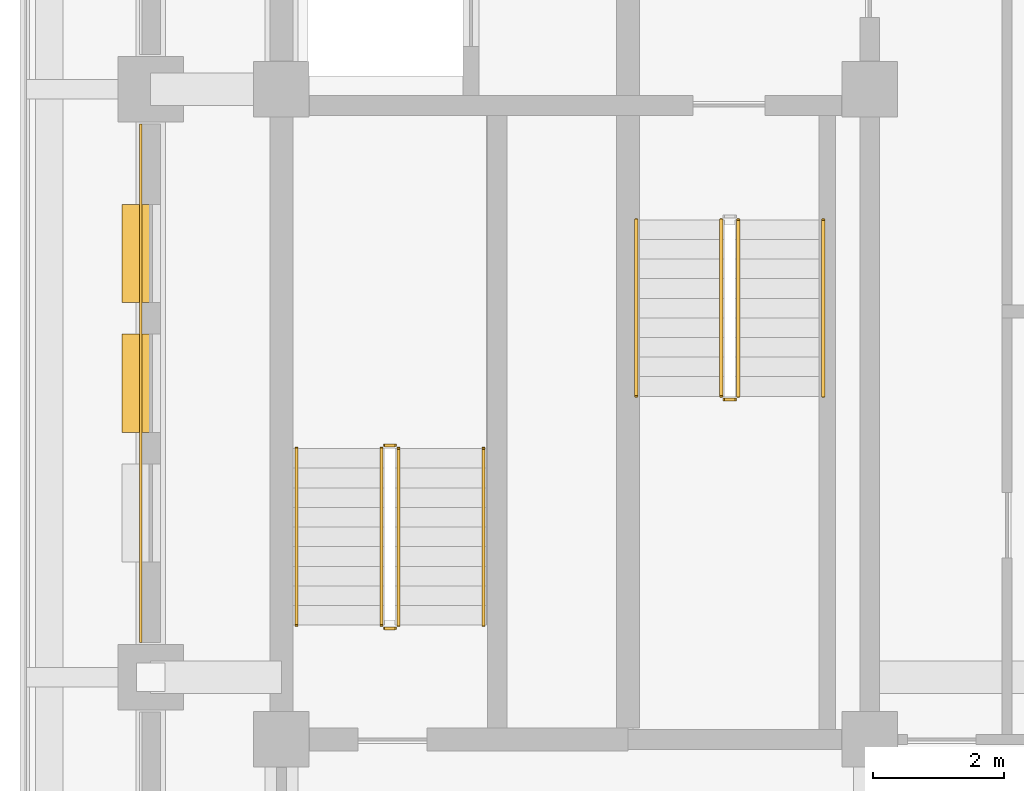
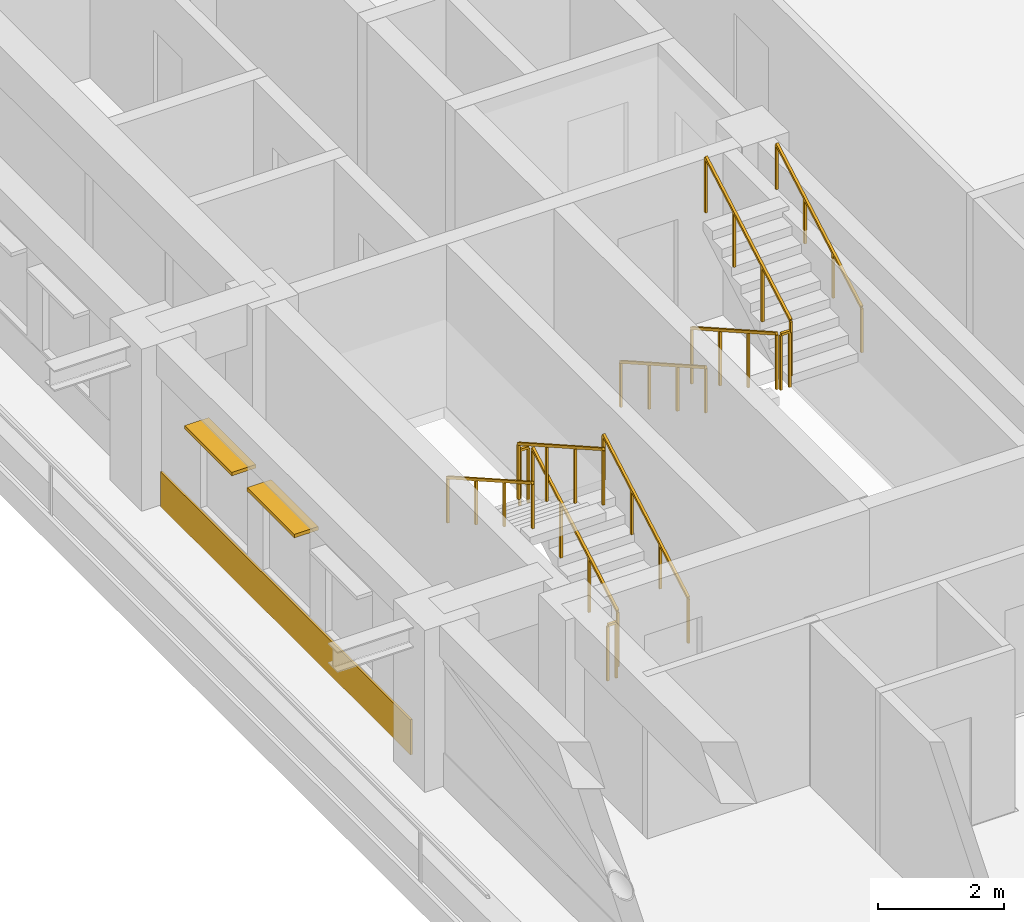
# One storey, part 9 of 13: 11 railings, 2 shading devices, 1 covering.
"""IFC4 building model written with IfcOpenShell, lengths in metres."""

from ifc_helpers import new_model, si_unit, direction, frame, frame_2d, origin, origin_2d, place, context, subcontext, project, spatial, rectangle, extrude, material, layer, layer_set, type_object, element, save


model = new_model("IFC4")

# Units and contexts
model_context = context("Model", 3, precision=1e-05, world=origin(), true_north=direction((0.0, 1.0)))
body_context = subcontext(model_context, "Body", "Model", "MODEL_VIEW")
ifc_project = project(units=[si_unit("LENGTHUNIT", "METRE"), si_unit("AREAUNIT", "SQUARE_METRE"), si_unit("VOLUMEUNIT", "CUBIC_METRE"), si_unit("PLANEANGLEUNIT", "RADIAN"), si_unit("MASSUNIT", "GRAM", prefix="KILO")], contexts=[model_context])

# Site, building, storey
site_placement = place(None, origin())
site = spatial("IfcSite", under=ifc_project, at=site_placement, CompositionType="ELEMENT")
building_placement = place(site_placement, origin())
building = spatial("IfcBuilding", under=site, at=building_placement, Name="Zulmaris Gate Convention Tower", CompositionType="ELEMENT")
storey_placement = place(building_placement, frame((0.0, 0.0, 166.059814453125)))
storey = spatial("IfcBuildingStorey", under=building, at=storey_placement, Name="L42", CompositionType="ELEMENT", Elevation=166.059814453125)

# Covering
ifc_material_1 = material(Name="Precast concrete C40/50", Category="concrete")
ifc_layer_1 = layer(ifc_material_1, 0.0400390625, Name="Precast concrete C40/50")
ifc_layer_set_1 = layer_set([ifc_layer_1], Name="Precast concrete C40/50")
covering_type = type_object("IfcCoveringType", Name="CLAD-SPANDREL-PRECAST", PredefinedType="CLADDING", material=ifc_layer_set_1)
covering_placement = place(storey_placement, frame((-22.14990234375, -0.530029296875, 0.0), z_axis=(0.0, 0.0, 1.0), x_axis=(0.0, -1.0, 0.0)))
element("IfcCovering", 1, at=covering_placement, inside=storey, type_object=covering_type, Name="CLD-L42-W-1_0", PredefinedType="CLADDING", context=body_context, shape_type="SweptSolid", body=[
    extrude(rectangle(XDim=7.93994140625, YDim=0.0400390625, at=frame_2d((3.969970703125, 0.0))), origin(), (0.0, 0.0, 1.0), 0.679931640625),
])

# Railings
ifc_material_2 = material(Name="Painted Galvanised Steel", Category="steel")
railing_type_1 = type_object("IfcRailingType", Name="RL-STG-1150", PredefinedType="GUARDRAIL", material=ifc_material_2)
railing_1_placement = place(storey_placement, frame((-13.27001953125, -2.0, 0.169921875)))
element("IfcRailing", 2, at=railing_1_placement, inside=storey, type_object=railing_type_1, Name="L42 ST-1 stair guard 1", PredefinedType="GUARDRAIL", context=body_context, shape_type="SweptSolid", body=[
    extrude(rectangle(XDim=0.048095703125, YDim=0.048095703125, at=origin_2d()), frame((0.0, 0.0, 1.076171875), z_axis=(0.0, -0.869980566543, 0.493086010588), x_axis=(1.0, 0.0, 0.0)), (0.0, 0.0, 1.0), 3.103515625),
    extrude(rectangle(XDim=0.0419921875, YDim=0.0419921875, at=origin_2d()), origin(), (0.0, 0.0, 1.0), 1.052001953125),
    extrude(rectangle(XDim=0.0419921875, YDim=0.0419921875, at=origin_2d()), frame((0.0, -0.89990234375, 0.510009765625)), (0.0, 0.0, 1.0), 1.052001953125),
    extrude(rectangle(XDim=0.0419921875, YDim=0.0419921875, at=origin_2d()), frame((0.0, -1.800048828125, 1.020263671875)), (0.0, 0.0, 1.0), 1.052001953125),
    extrude(rectangle(XDim=0.0419921875, YDim=0.0419921875, at=origin_2d()), frame((0.0, -2.699951171875, 1.5302734375)), (0.0, 0.0, 1.0), 1.052001953125),
])
railing_2_placement = place(storey_placement, frame((-13.219970703125, -4.75, 1.7001953125)))
element("IfcRailing", 3, at=railing_2_placement, inside=storey, type_object=railing_type_1, Name="L42 ST-1 stair guard 2", PredefinedType="GUARDRAIL", context=body_context, shape_type="SweptSolid", body=[
    extrude(rectangle(XDim=0.048095703125, YDim=0.048095703125, at=origin_2d()), frame((0.0, 0.0, 1.076171875), z_axis=(1.0, 0.0, 0.0), x_axis=(0.0, 1.0, 0.0)), (0.0, 0.0, 1.0), 0.159912109375),
    extrude(rectangle(XDim=0.0419921875, YDim=0.0419921875, at=origin_2d()), origin(), (0.0, 0.0, 1.0), 1.052001953125),
    extrude(rectangle(XDim=0.0419921875, YDim=0.0419921875, at=origin_2d()), frame((0.159912109375, 0.0, 0.0)), (0.0, 0.0, 1.0), 1.052001953125),
])
railing_3_placement = place(storey_placement, frame((-13.010009765625, -4.699951171875, 1.8701171875)))
element("IfcRailing", 4, at=railing_3_placement, inside=storey, type_object=railing_type_1, Name="L42 ST-1 stair guard 3", PredefinedType="GUARDRAIL", context=body_context, shape_type="SweptSolid", body=[
    extrude(rectangle(XDim=0.048095703125, YDim=0.048095703125, at=origin_2d()), frame((0.0, 0.0, 1.076171875), z_axis=(0.0, 0.870014312096, 0.49302646658), x_axis=(-1.0, 0.0, 0.0)), (0.0, 0.0, 1.0), 3.103271484375),
    extrude(rectangle(XDim=0.0419921875, YDim=0.0419921875, at=origin_2d()), origin(), (0.0, 0.0, 1.0), 1.052001953125),
    extrude(rectangle(XDim=0.0419921875, YDim=0.0419921875, at=origin_2d()), frame((0.0, 0.89990234375, 0.510009765625)), (0.0, 0.0, 1.0), 1.052001953125),
    extrude(rectangle(XDim=0.0419921875, YDim=0.0419921875, at=origin_2d()), frame((0.0, 1.800048828125, 1.02001953125)), (0.0, 0.0, 1.0), 1.052001953125),
    extrude(rectangle(XDim=0.0419921875, YDim=0.0419921875, at=origin_2d()), frame((0.0, 2.699951171875, 1.530029296875)), (0.0, 0.0, 1.0), 1.052001953125),
])
railing_4_placement = place(storey_placement, frame((-18.2099609375, -8.199951171875, 0.169921875)))
element("IfcRailing", 5, at=railing_4_placement, inside=storey, type_object=railing_type_1, Name="L42 ST-3 stair guard 1", PredefinedType="GUARDRAIL", context=body_context, shape_type="SweptSolid", body=[
    extrude(rectangle(XDim=0.048095703125, YDim=0.048095703125, at=origin_2d()), frame((0.0, 0.0, 1.076171875), z_axis=(0.0, 0.869980566543, 0.493086010588), x_axis=(-1.0, 0.0, 0.0)), (0.0, 0.0, 1.0), 3.103515625),
    extrude(rectangle(XDim=0.0419921875, YDim=0.0419921875, at=origin_2d()), origin(), (0.0, 0.0, 1.0), 1.052001953125),
    extrude(rectangle(XDim=0.0419921875, YDim=0.0419921875, at=origin_2d()), frame((0.0, 0.89990234375, 0.510009765625)), (0.0, 0.0, 1.0), 1.052001953125),
    extrude(rectangle(XDim=0.0419921875, YDim=0.0419921875, at=origin_2d()), frame((0.0, 1.800048828125, 1.020263671875)), (0.0, 0.0, 1.0), 1.052001953125),
    extrude(rectangle(XDim=0.0419921875, YDim=0.0419921875, at=origin_2d()), frame((0.0, 2.699951171875, 1.5302734375)), (0.0, 0.0, 1.0), 1.052001953125),
])
railing_5_placement = place(storey_placement, frame((-18.260009765625, -5.449951171875, 1.7001953125)))
element("IfcRailing", 6, at=railing_5_placement, inside=storey, type_object=railing_type_1, Name="L42 ST-3 stair guard 2", PredefinedType="GUARDRAIL", context=body_context, shape_type="SweptSolid", body=[
    extrude(rectangle(XDim=0.048095703125, YDim=0.048095703125, at=origin_2d()), frame((0.0, 0.0, 1.076171875), z_axis=(-1.0, 0.0, 0.0), x_axis=(0.0, -1.0, 0.0)), (0.0, 0.0, 1.0), 0.159912109375),
    extrude(rectangle(XDim=0.0419921875, YDim=0.0419921875, at=origin_2d()), origin(), (0.0, 0.0, 1.0), 1.052001953125),
    extrude(rectangle(XDim=0.0419921875, YDim=0.0419921875, at=origin_2d()), frame((-0.159912109375, 0.0, 0.0)), (0.0, 0.0, 1.0), 1.052001953125),
])
railing_6_placement = place(storey_placement, frame((-18.469970703125, -5.5, 1.8701171875)))
element("IfcRailing", 7, at=railing_6_placement, inside=storey, type_object=railing_type_1, Name="L42 ST-3 stair guard 3", PredefinedType="GUARDRAIL", context=body_context, shape_type="SweptSolid", body=[
    extrude(rectangle(XDim=0.048095703125, YDim=0.048095703125, at=origin_2d()), frame((0.0, 0.0, 1.076171875), z_axis=(0.0, -0.870014312096, 0.49302646658), x_axis=(1.0, 0.0, 0.0)), (0.0, 0.0, 1.0), 3.103271484375),
    extrude(rectangle(XDim=0.0419921875, YDim=0.0419921875, at=origin_2d()), origin(), (0.0, 0.0, 1.0), 1.052001953125),
    extrude(rectangle(XDim=0.0419921875, YDim=0.0419921875, at=origin_2d()), frame((0.0, -0.89990234375, 0.510009765625)), (0.0, 0.0, 1.0), 1.052001953125),
    extrude(rectangle(XDim=0.0419921875, YDim=0.0419921875, at=origin_2d()), frame((0.0, -1.800048828125, 1.02001953125)), (0.0, 0.0, 1.0), 1.052001953125),
    extrude(rectangle(XDim=0.0419921875, YDim=0.0419921875, at=origin_2d()), frame((0.0, -2.699951171875, 1.530029296875)), (0.0, 0.0, 1.0), 1.052001953125),
])
railing_7_placement = place(storey_placement, frame((-18.260009765625, -8.25, 0.0)))
element("IfcRailing", 8, at=railing_7_placement, inside=storey, type_object=railing_type_1, Name="L42 ST-3 stair guard 4", PredefinedType="GUARDRAIL", context=body_context, shape_type="SweptSolid", body=[
    extrude(rectangle(XDim=0.048095703125, YDim=0.048095703125, at=origin_2d()), frame((0.0, 0.0, 1.076171875), z_axis=(-1.0, 0.0, 0.0), x_axis=(0.0, -1.0, 0.0)), (0.0, 0.0, 1.0), 0.159912109375),
    extrude(rectangle(XDim=0.0419921875, YDim=0.0419921875, at=origin_2d()), origin(), (0.0, 0.0, 1.0), 1.052001953125),
    extrude(rectangle(XDim=0.0419921875, YDim=0.0419921875, at=origin_2d()), frame((-0.159912109375, 0.0, 0.0)), (0.0, 0.0, 1.0), 1.052001953125),
])
ifc_material_3 = material(Name="Brushed Stainless Steel", Category="steel")
railing_type_2 = type_object("IfcRailingType", Name="RL-STH-900", PredefinedType="HANDRAIL", material=ifc_material_3)
railing_8_placement = place(storey_placement, frame((-14.570068359375, -2.0, 0.169921875)))
element("IfcRailing", 9, at=railing_8_placement, inside=storey, type_object=railing_type_2, Name="L42 ST-1 stair handrail 1", PredefinedType="HANDRAIL", context=body_context, shape_type="SweptSolid", body=[
    extrude(rectangle(XDim=0.048095703125, YDim=0.048095703125, at=origin_2d()), frame((0.0, 0.0, 0.8759765625), z_axis=(0.0, -0.869980566543, 0.493086010588), x_axis=(1.0, 0.0, 0.0)), (0.0, 0.0, 1.0), 3.103515625),
    extrude(rectangle(XDim=0.0419921875, YDim=0.0419921875, at=origin_2d()), origin(), (0.0, 0.0, 1.0), 0.851806640625),
    extrude(rectangle(XDim=0.0419921875, YDim=0.0419921875, at=origin_2d()), frame((0.0, -0.89990234375, 0.510009765625)), (0.0, 0.0, 1.0), 0.851806640625),
    extrude(rectangle(XDim=0.0419921875, YDim=0.0419921875, at=origin_2d()), frame((0.0, -1.800048828125, 1.020263671875)), (0.0, 0.0, 1.0), 0.851806640625),
    extrude(rectangle(XDim=0.0419921875, YDim=0.0419921875, at=origin_2d()), frame((0.0, -2.699951171875, 1.5302734375)), (0.0, 0.0, 1.0), 0.851806640625),
])
railing_9_placement = place(storey_placement, frame((-11.7099609375, -4.699951171875, 1.8701171875)))
element("IfcRailing", 10, at=railing_9_placement, inside=storey, type_object=railing_type_2, Name="L42 ST-1 stair handrail 2", PredefinedType="HANDRAIL", context=body_context, shape_type="SweptSolid", body=[
    extrude(rectangle(XDim=0.048095703125, YDim=0.048095703125, at=origin_2d()), frame((0.0, 0.0, 0.8759765625), z_axis=(0.0, 0.870014312096, 0.49302646658), x_axis=(-1.0, 0.0, 0.0)), (0.0, 0.0, 1.0), 3.103271484375),
    extrude(rectangle(XDim=0.0419921875, YDim=0.0419921875, at=origin_2d()), origin(), (0.0, 0.0, 1.0), 0.851806640625),
    extrude(rectangle(XDim=0.0419921875, YDim=0.0419921875, at=origin_2d()), frame((0.0, 0.89990234375, 0.510009765625)), (0.0, 0.0, 1.0), 0.851806640625),
    extrude(rectangle(XDim=0.0419921875, YDim=0.0419921875, at=origin_2d()), frame((0.0, 1.800048828125, 1.02001953125)), (0.0, 0.0, 1.0), 0.851806640625),
    extrude(rectangle(XDim=0.0419921875, YDim=0.0419921875, at=origin_2d()), frame((0.0, 2.699951171875, 1.530029296875)), (0.0, 0.0, 1.0), 0.851806640625),
])
railing_10_placement = place(storey_placement, frame((-16.909912109375, -8.199951171875, 0.169921875)))
element("IfcRailing", 11, at=railing_10_placement, inside=storey, type_object=railing_type_2, Name="L42 ST-3 stair handrail 1", PredefinedType="HANDRAIL", context=body_context, shape_type="SweptSolid", body=[
    extrude(rectangle(XDim=0.048095703125, YDim=0.048095703125, at=origin_2d()), frame((0.0, 0.0, 0.8759765625), z_axis=(0.0, 0.869980566543, 0.493086010588), x_axis=(-1.0, 0.0, 0.0)), (0.0, 0.0, 1.0), 3.103515625),
    extrude(rectangle(XDim=0.0419921875, YDim=0.0419921875, at=origin_2d()), origin(), (0.0, 0.0, 1.0), 0.851806640625),
    extrude(rectangle(XDim=0.0419921875, YDim=0.0419921875, at=origin_2d()), frame((0.0, 0.89990234375, 0.510009765625)), (0.0, 0.0, 1.0), 0.851806640625),
    extrude(rectangle(XDim=0.0419921875, YDim=0.0419921875, at=origin_2d()), frame((0.0, 1.800048828125, 1.020263671875)), (0.0, 0.0, 1.0), 0.851806640625),
    extrude(rectangle(XDim=0.0419921875, YDim=0.0419921875, at=origin_2d()), frame((0.0, 2.699951171875, 1.5302734375)), (0.0, 0.0, 1.0), 0.851806640625),
])
railing_11_placement = place(storey_placement, frame((-19.77001953125, -5.5, 1.8701171875)))
element("IfcRailing", 12, at=railing_11_placement, inside=storey, type_object=railing_type_2, Name="L42 ST-3 stair handrail 2", PredefinedType="HANDRAIL", context=body_context, shape_type="SweptSolid", body=[
    extrude(rectangle(XDim=0.048095703125, YDim=0.048095703125, at=origin_2d()), frame((0.0, 0.0, 0.8759765625), z_axis=(0.0, -0.870014312096, 0.49302646658), x_axis=(1.0, 0.0, 0.0)), (0.0, 0.0, 1.0), 3.103271484375),
    extrude(rectangle(XDim=0.0419921875, YDim=0.0419921875, at=origin_2d()), origin(), (0.0, 0.0, 1.0), 0.851806640625),
    extrude(rectangle(XDim=0.0419921875, YDim=0.0419921875, at=origin_2d()), frame((0.0, -0.89990234375, 0.510009765625)), (0.0, 0.0, 1.0), 0.851806640625),
    extrude(rectangle(XDim=0.0419921875, YDim=0.0419921875, at=origin_2d()), frame((0.0, -1.800048828125, 1.02001953125)), (0.0, 0.0, 1.0), 0.851806640625),
    extrude(rectangle(XDim=0.0419921875, YDim=0.0419921875, at=origin_2d()), frame((0.0, -2.699951171875, 1.530029296875)), (0.0, 0.0, 1.0), 0.851806640625),
])

# Shading devices
ifc_material_4 = material(Name="Glazed Ceramic Terracotta", Category="masonry")
ifc_layer_2 = layer(ifc_material_4, 0.070068359375, Name="Glazed Ceramic Terracotta")
ifc_layer_set_2 = layer_set([ifc_layer_2], Name="Glazed Ceramic Terracotta")
shading_device_type = type_object("IfcShadingDeviceType", Name="SHD-SUNSHADE-TC", PredefinedType="AWNING", material=ifc_layer_set_2)
for number, where, z_axis, x_axis, name in (
    (13, (-22.219970703125, -1.764892578125, 2.35009765625), (0.0, 0.0, 1.0), (0.0, -1.0, 0.0), "SHD-EW-L42-W-1_0-1"),
    (14, (-22.219970703125, -3.75, 2.35009765625), (0.0, 0.0, 1.0), (0.0, -1.0, 0.0), "SHD-EW-L42-W-1_0-2"),
):
    element("IfcShadingDevice", number, at=place(storey_placement, frame(where, z_axis=z_axis, x_axis=x_axis)), inside=storey, type_object=shading_device_type, Name=name, PredefinedType="AWNING", context=body_context, shape_type="SweptSolid", body=[
        extrude(rectangle(XDim=1.5, YDim=0.43994140625, at=frame_2d((0.75, 0.0))), origin(), (0.0, 0.0, 1.0), 0.06982421875),
    ])

save(model, "model.ifc")
